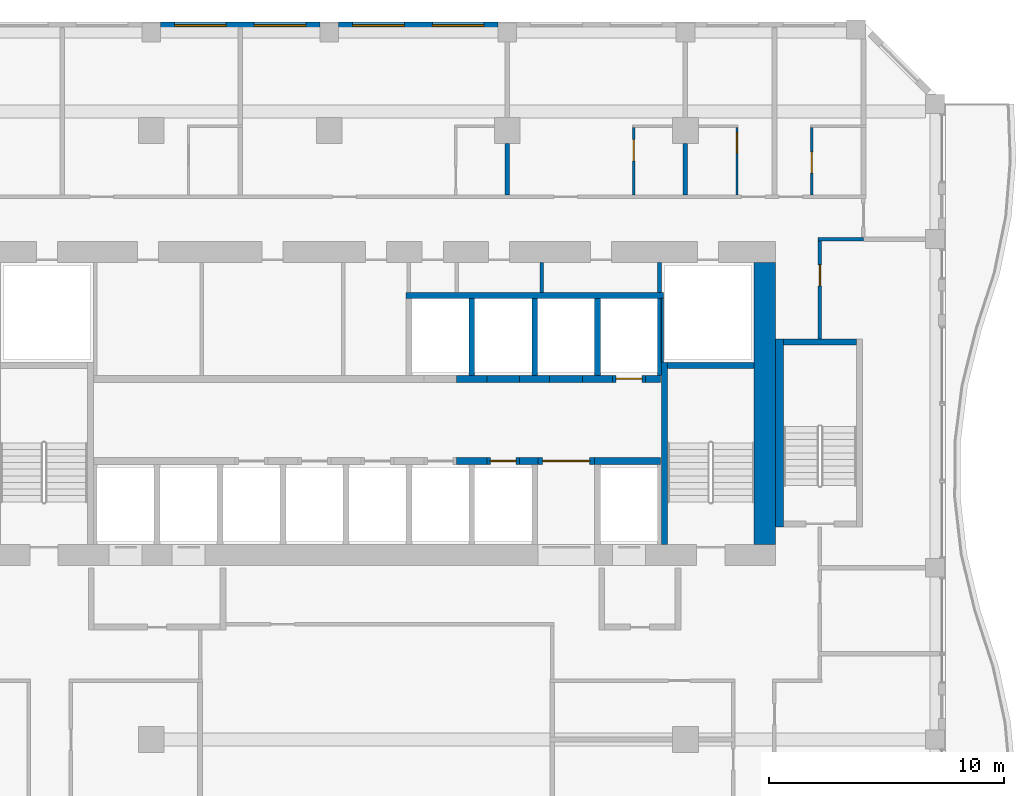
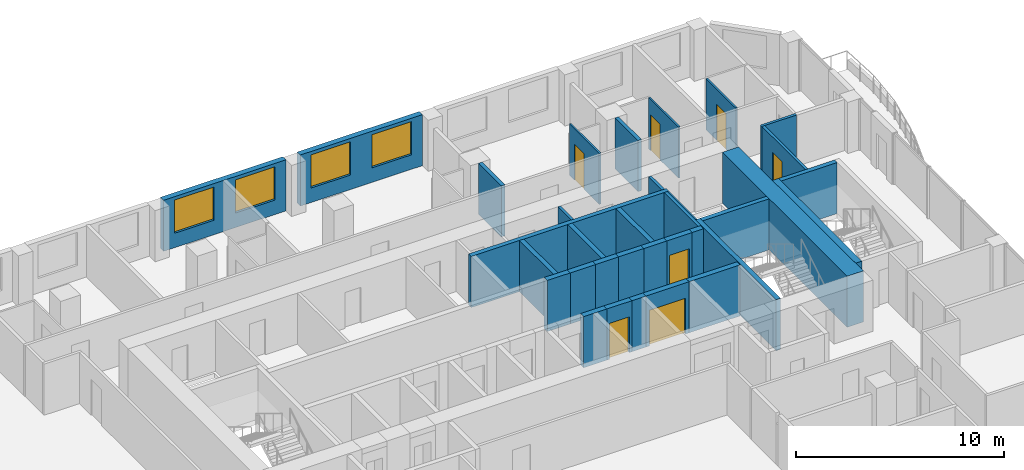
# One storey, part 16 of 23: 34 walls, 7 doors, 4 windows, 11 openings.
"""IFC4 building model written with IfcOpenShell, lengths in metres."""

from ifc_helpers import new_model, si_unit, direction, frame, frame_2d, origin, place, context, subcontext, project, spatial, rectangle, extrude, source, transform, mapped, material, layer, layer_set, type_object, element, fill, save


model = new_model("IFC4")

# Units and contexts
model_context = context("Model", 3, precision=1e-05, world=origin(), true_north=direction((0.0, 1.0)))
body_context = subcontext(model_context, "Body", "Model", "MODEL_VIEW")
ifc_project = project(units=[si_unit("LENGTHUNIT", "METRE"), si_unit("AREAUNIT", "SQUARE_METRE"), si_unit("VOLUMEUNIT", "CUBIC_METRE"), si_unit("PLANEANGLEUNIT", "RADIAN"), si_unit("MASSUNIT", "GRAM", prefix="KILO")], contexts=[model_context])

# Site, building, storey
site_placement = place(None, origin())
site = spatial("IfcSite", under=ifc_project, at=site_placement, CompositionType="ELEMENT")
building_placement = place(site_placement, origin())
building = spatial("IfcBuilding", under=site, at=building_placement, Name="Kilnfold Tower and Market Hall", CompositionType="ELEMENT")
storey_placement = place(building_placement, frame((0.0, 0.0, 160.89990234375)))
storey = spatial("IfcBuildingStorey", under=building, at=storey_placement, Name="L37", CompositionType="ELEMENT", Elevation=160.89990234375)

# Wall
ifc_material_1 = material(Name="Gypsum board on steel studs", Category="steel")
ifc_layer_1 = layer(ifc_material_1, 0.14990234375)
ifc_layer_set_1 = layer_set([ifc_layer_1], Name="Gypsum board on steel studs")
wall_type_1 = type_object("IfcWallType", Name="WALL CORRIDOR 150", PredefinedType="PARTITIONING", material=ifc_layer_set_1)
wall_1_placement = place(storey_placement, frame((19.824951171875, 22.0, 0.0), z_axis=(0.0, 0.0, 1.0), x_axis=(1.0, 0.0, 0.0)))
element("IfcWall", 1, at=wall_1_placement, inside=storey, type_object=wall_type_1, Name="Partition LY24.24", PredefinedType="PARTITIONING", context=body_context, shape_type="SweptSolid", body=[
    extrude(rectangle(XDim=1.925048828125, YDim=0.14990234375, at=frame_2d((0.96240234375, 0.0))), origin(), (0.0, 0.0, 1.0), 3.0),
])

# Wall, opening, door
wall_2_placement = place(storey_placement, frame((19.89990234375, 17.75, 0.0), z_axis=(0.0, 0.0, 1.0), x_axis=(0.0, 1.0, 0.0)))
wall_2 = element("IfcWall", 2, at=wall_2_placement, inside=storey, type_object=wall_type_1, Name="Partition LY24.25", PredefinedType="PARTITIONING", context=body_context, shape_type="SweptSolid", body=[
    extrude(rectangle(XDim=4.175048828125, YDim=0.14990234375, at=frame_2d((2.08740234375, 0.0))), origin(), (0.0, 0.0, 1.0), 3.0),
])
opening_1_placement = place(wall_2_placement, frame((2.25390625, 0.0, 0.0)))
opening_1 = element("IfcOpeningElement", 3, at=opening_1_placement, cuts=wall_2, Name="Opening D2", PredefinedType="OPENING", context=body_context, shape_type="SweptSolid", body=[
    extrude(rectangle(XDim=0.89990234375, YDim=2.10009765625, at=frame_2d((0.449951171875, 1.050048828125))), frame((0.0, 0.0849609375, 0.0), z_axis=(0.0, -1.0, 0.0), x_axis=(1.0, 0.0, 0.0)), (0.0, 0.0, 1.0), 0.169921875),
])
ifc_material_2 = material(Name="Timber veneer door leaf in steel frame", Category="steel")
door_type_1 = type_object("IfcDoorType", Name="DOOR ROOM 900 X2100", OperationType="NOTDEFINED", PredefinedType="DOOR", material=ifc_material_2)
door_1_placement = place(opening_1_placement, origin())
door_1 = element("IfcDoor", 4, at=door_1_placement, inside=storey, type_object=door_type_1, Name="Door D2", OperationType="SINGLE_SWING_LEFT", OverallHeight=2.10009765625, OverallWidth=0.89990234375, PredefinedType="DOOR", context=body_context, shape_type="SweptSolid", body=[
    extrude(rectangle(XDim=0.89990234375, YDim=2.10009765625, at=frame_2d((0.449951171875, 1.050048828125))), frame((0.0, 0.02490234375, 0.0), z_axis=(0.0, -1.0, 0.0), x_axis=(1.0, 0.0, 0.0)), (0.0, 0.0, 1.0), 0.050048828125),
])
fill(opening_1, door_1)

ifc_material_3 = material(Name="Gypsum board on steel studs", Category="steel")
ifc_layer_2 = layer(ifc_material_3, 0.10009765625)
ifc_layer_set_2 = layer_set([ifc_layer_2], Name="Gypsum board on steel studs")
wall_type_2 = type_object("IfcWallType", Name="WALL PARTITION 100", PredefinedType="PARTITIONING", material=ifc_layer_set_2)
wall_3_placement = place(storey_placement, frame((11.967041015625, 23.876953125, 0.0), z_axis=(0.0, 0.0, 1.0), x_axis=(0.0, 1.0, 0.0)))
wall_3 = element("IfcWall", 5, at=wall_3_placement, inside=storey, type_object=wall_type_2, Name="Partition LY24.90", PredefinedType="PARTITIONING", context=body_context, shape_type="SweptSolid", body=[
    extrude(rectangle(XDim=2.875, YDim=0.10009765625, at=frame_2d((1.4375, 0.0))), origin(), (0.0, 0.0, 1.0), 3.0),
])
opening_2_placement = place(wall_3_placement, frame((1.4599609375, 0.0, 0.0)))
opening_2 = element("IfcOpeningElement", 6, at=opening_2_placement, cuts=wall_3, Name="Opening D3", PredefinedType="OPENING", context=body_context, shape_type="SweptSolid", body=[
    extrude(rectangle(XDim=0.89990234375, YDim=2.10009765625, at=frame_2d((0.449951171875, 1.050048828125))), frame((0.0, 0.06005859375, 0.0), z_axis=(0.0, -1.0, 0.0), x_axis=(1.0, 0.0, 0.0)), (0.0, 0.0, 1.0), 0.1201171875),
])
ifc_material_4 = material(Name="Timber veneer door leaf in steel frame", Category="steel")
door_type_2 = type_object("IfcDoorType", Name="DOOR WC 900 X2100", OperationType="NOTDEFINED", PredefinedType="DOOR", material=ifc_material_4)
door_2_placement = place(opening_2_placement, origin())
door_2 = element("IfcDoor", 7, at=door_2_placement, inside=storey, type_object=door_type_2, Name="Door D3", OperationType="SINGLE_SWING_LEFT", OverallHeight=2.10009765625, OverallWidth=0.89990234375, PredefinedType="DOOR", context=body_context, shape_type="SweptSolid", body=[
    extrude(rectangle(XDim=0.89990234375, YDim=2.10009765625, at=frame_2d((0.449951171875, 1.050048828125))), frame((0.0, 0.02490234375, 0.0), z_axis=(0.0, -1.0, 0.0), x_axis=(1.0, 0.0, 0.0)), (0.0, 0.0, 1.0), 0.050048828125),
])
fill(opening_2, door_2)

wall_4_placement = place(storey_placement, frame((16.366943359375, 26.751953125, 0.0), z_axis=(0.0, 0.0, 1.0), x_axis=(0.0, -1.0, 0.0)))
wall_4 = element("IfcWall", 8, at=wall_4_placement, inside=storey, type_object=wall_type_2, Name="Partition LY24.94", PredefinedType="PARTITIONING", context=body_context, shape_type="SweptSolid", body=[
    extrude(rectangle(XDim=2.875, YDim=0.10009765625, at=frame_2d((1.4375, 0.0))), origin(), (0.0, 0.0, 1.0), 3.0),
])
opening_3_placement = place(wall_4_placement, frame((0.199951171875, 0.0, 0.0)))
opening_3 = element("IfcOpeningElement", 9, at=opening_3_placement, cuts=wall_4, Name="Opening D3", PredefinedType="OPENING", context=body_context, shape_type="SweptSolid", body=[
    extrude(rectangle(XDim=0.89990234375, YDim=2.10009765625, at=frame_2d((0.449951171875, 1.050048828125))), frame((0.0, 0.06005859375, 0.0), z_axis=(0.0, -1.0, 0.0), x_axis=(1.0, 0.0, 0.0)), (0.0, 0.0, 1.0), 0.1201171875),
])
door_3_placement = place(opening_3_placement, origin())
door_3 = element("IfcDoor", 10, at=door_3_placement, inside=storey, type_object=door_type_2, Name="Door D3", OperationType="SINGLE_SWING_LEFT", OverallHeight=2.10009765625, OverallWidth=0.89990234375, PredefinedType="DOOR", context=body_context, shape_type="SweptSolid", body=[
    extrude(rectangle(XDim=0.89990234375, YDim=2.10009765625, at=frame_2d((0.449951171875, 1.050048828125))), frame((0.0, 0.02490234375, 0.0), z_axis=(0.0, -1.0, 0.0), x_axis=(1.0, 0.0, 0.0)), (0.0, 0.0, 1.0), 0.050048828125),
])
fill(opening_3, door_3)

wall_5_placement = place(storey_placement, frame((19.550048828125, 23.876953125, 0.0), z_axis=(0.0, 0.0, 1.0), x_axis=(0.0, 1.0, 0.0)))
wall_5 = element("IfcWall", 11, at=wall_5_placement, inside=storey, type_object=wall_type_2, Name="Partition LY24.97", PredefinedType="PARTITIONING", context=body_context, shape_type="SweptSolid", body=[
    extrude(rectangle(XDim=2.875, YDim=0.10009765625, at=frame_2d((1.4375, 0.0))), origin(), (0.0, 0.0, 1.0), 3.0),
])
opening_4_placement = place(wall_5_placement, frame((0.93505859375, 0.0, 0.0)))
opening_4 = element("IfcOpeningElement", 12, at=opening_4_placement, cuts=wall_5, Name="Opening D3", PredefinedType="OPENING", context=body_context, shape_type="SweptSolid", body=[
    extrude(rectangle(XDim=0.89990234375, YDim=2.10009765625, at=frame_2d((0.449951171875, 1.050048828125))), frame((0.0, 0.06005859375, 0.0), z_axis=(0.0, -1.0, 0.0), x_axis=(1.0, 0.0, 0.0)), (0.0, 0.0, 1.0), 0.1201171875),
])
door_4_placement = place(opening_4_placement, origin())
door_4 = element("IfcDoor", 13, at=door_4_placement, inside=storey, type_object=door_type_2, Name="Door D3", OperationType="SINGLE_SWING_RIGHT", OverallHeight=2.10009765625, OverallWidth=0.89990234375, PredefinedType="DOOR", context=body_context, shape_type="SweptSolid", body=[
    extrude(rectangle(XDim=0.89990234375, YDim=2.10009765625, at=frame_2d((0.449951171875, 1.050048828125))), frame((0.0, 0.02490234375, 0.0), z_axis=(0.0, -1.0, 0.0), x_axis=(1.0, 0.0, 0.0)), (0.0, 0.0, 1.0), 0.050048828125),
])
fill(opening_4, door_4)

# Walls
ifc_material_5 = material(Name="Gypsum board on steel studs", Category="steel")
ifc_layer_3 = layer(ifc_material_5, 0.199951171875)
ifc_layer_set_3 = layer_set([ifc_layer_3], Name="Gypsum board on steel studs")
wall_type_3 = type_object("IfcWallType", Name="WALL PARTY 200", PredefinedType="PARTITIONING", material=ifc_layer_set_3)
for number, where, z_axis, x_axis, name in (
    (14, (6.5830078125, 23.876953125, 0.0), (0.0, 0.0, 1.0), (0.0, 1.0, 0.0), "Partition LY24.88"),
    (15, (14.1669921875, 23.876953125, 0.0), (0.0, 0.0, 1.0), (0.0, 1.0, 0.0), "Partition LY24.92"),
):
    element("IfcWall", number, at=place(storey_placement, frame(where, z_axis=z_axis, x_axis=x_axis)), inside=storey, type_object=wall_type_3, Name=name, PredefinedType="PARTITIONING", context=body_context, shape_type="SweptSolid", body=[
        extrude(rectangle(XDim=2.197998046875, YDim=0.199951171875, at=frame_2d((1.09912109375, 0.0))), origin(), (0.0, 0.0, 1.0), 3.0),
    ])
ifc_material_6 = material(Name="Concrete C70", Category="concrete")
ifc_layer_4 = layer(ifc_material_6, 0.89990234375)
ifc_layer_set_4 = layer_set([ifc_layer_4], Name="Concrete C70")
wall_type_4 = type_object("IfcWallType", Name="CORE WALL 900 C70", PredefinedType="SHEAR", material=ifc_layer_set_4)
shared_shape_1 = source(origin(), body_context, "Body", "SweptSolid", [
    extrude(rectangle(XDim=12.0, YDim=0.89990234375, at=frame_2d((6.0, 0.0))), origin(), (0.0, 0.0, 1.0), 3.0),
])
wall_6_placement = place(storey_placement, frame((17.550048828125, 9.0, 0.0), z_axis=(0.0, 0.0, 1.0), x_axis=(0.0, 1.0, 0.0)))
element("IfcWall", 16, at=wall_6_placement, inside=storey, type_object=wall_type_4, Name="Core outer wall east", PredefinedType="SHEAR", context=body_context, shape_type="MappedRepresentation", body=[
    mapped(shared_shape_1, transform((0.0, 0.0, 0.0))),
])
ifc_material_7 = material(Name="Concrete C70", Category="concrete")
ifc_layer_5 = layer(ifc_material_7, 0.25)
ifc_layer_set_5 = layer_set([ifc_layer_5], Name="Concrete C70")
wall_type_5 = type_object("IfcWallType", Name="CORE WALL 250 C70", PredefinedType="SHEAR", material=ifc_layer_set_5)
shared_shape_2 = source(origin(), body_context, "Body", "SweptSolid", [
    extrude(rectangle(XDim=7.75, YDim=0.25, at=frame_2d((3.875, 0.0))), origin(), (0.0, 0.0, 1.0), 3.0),
])
wall_7_placement = place(storey_placement, frame((13.27490234375, 9.0, 0.0), z_axis=(0.0, 0.0, 1.0), x_axis=(0.0, 1.0, 0.0)))
element("IfcWall", 17, at=wall_7_placement, inside=storey, type_object=wall_type_5, Name="Stair enclosure ST2", PredefinedType="SHEAR", context=body_context, shape_type="MappedRepresentation", body=[
    mapped(shared_shape_2, transform((0.0, 0.0, 0.0))),
])
shared_shape_3 = source(origin(), body_context, "Body", "SweptSolid", [
    extrude(rectangle(XDim=3.7001953125, YDim=0.25, at=frame_2d((1.85009765625, 0.0))), origin(), (0.0, 0.0, 1.0), 3.0),
])
wall_8_placement = place(storey_placement, frame((13.39990234375, 16.625, 0.0), z_axis=(0.0, 0.0, 1.0), x_axis=(1.0, 0.0, 0.0)))
element("IfcWall", 18, at=wall_8_placement, inside=storey, type_object=wall_type_5, Name="Stair enclosure ST2", PredefinedType="SHEAR", context=body_context, shape_type="MappedRepresentation", body=[
    mapped(shared_shape_3, transform((0.0, 0.0, 0.0))),
])
ifc_material_8 = material(Name="Concrete C70", Category="concrete")
ifc_layer_6 = layer(ifc_material_8, 0.35009765625)
ifc_layer_set_6 = layer_set([ifc_layer_6], Name="Concrete C70")
wall_type_6 = type_object("IfcWallType", Name="CORE WALL 350 C70", PredefinedType="SHEAR", material=ifc_layer_set_6)
shared_shape_4 = source(origin(), body_context, "Body", "SweptSolid", [
    extrude(rectangle(XDim=8.0, YDim=0.35009765625, at=frame_2d((4.0, 0.0))), origin(), (0.0, 0.0, 1.0), 3.0),
])
wall_9_placement = place(storey_placement, frame((18.175048828125, 9.75, 0.0), z_axis=(0.0, 0.0, 1.0), x_axis=(0.0, 1.0, 0.0)))
element("IfcWall", 19, at=wall_9_placement, inside=storey, type_object=wall_type_6, Name="Stair enclosure ST5", PredefinedType="SHEAR", context=body_context, shape_type="MappedRepresentation", body=[
    mapped(shared_shape_4, transform((0.0, 0.0, 0.0))),
])
shared_shape_5 = source(origin(), body_context, "Body", "SweptSolid", [
    extrude(rectangle(XDim=3.099853515625, YDim=0.25, at=frame_2d((1.5498046875, 0.0))), origin(), (0.0, 0.0, 1.0), 3.0),
])
wall_10_placement = place(storey_placement, frame((18.35009765625, 17.625, 0.0), z_axis=(0.0, 0.0, 1.0), x_axis=(1.0, 0.0, 0.0)))
element("IfcWall", 20, at=wall_10_placement, inside=storey, type_object=wall_type_5, Name="Stair enclosure ST5", PredefinedType="SHEAR", context=body_context, shape_type="MappedRepresentation", body=[
    mapped(shared_shape_5, transform((0.0, 0.0, 0.0))),
])
ifc_material_9 = material(Name="Concrete C70", Category="concrete")
ifc_layer_7 = layer(ifc_material_9, 0.300048828125)
ifc_layer_set_7 = layer_set([ifc_layer_7], Name="Concrete C70")
wall_type_7 = type_object("IfcWallType", Name="CORE WALL 300 C70", PredefinedType="SHEAR", material=ifc_layer_set_7)
shared_shape_6 = source(origin(), body_context, "Body", "SweptSolid", [
    extrude(rectangle(XDim=1.280029296875, YDim=0.300048828125, at=frame_2d((0.64013671875, 0.0))), origin(), (0.0, 0.0, 1.0), 3.0),
])
for number, where, z_axis, x_axis, name in (
    (21, (4.429931640625, 12.550048828125, 0.0), (0.0, 0.0, 1.0), (1.0, 0.0, 0.0), "Core spine wall"),
    (22, (4.429931640625, 16.050048828125, 0.0), (0.0, 0.0, 1.0), (1.0, 0.0, 0.0), "Core spine wall"),
    (23, (9.7900390625, 16.050048828125, 0.0), (0.0, 0.0, 1.0), (1.0, 0.0, 0.0), "Core spine wall"),
):
    element("IfcWall", number, at=place(storey_placement, frame(where, z_axis=z_axis, x_axis=x_axis)), inside=storey, type_object=wall_type_7, Name=name, PredefinedType="SHEAR", context=body_context, shape_type="MappedRepresentation", body=[
        mapped(shared_shape_6, transform((0.0, 0.0, 0.0))),
    ])
shared_shape_7 = source(origin(), body_context, "Body", "SweptSolid", [
    extrude(rectangle(XDim=0.77978515625, YDim=0.300048828125, at=frame_2d((0.389892578125, 0.0))), origin(), (0.0, 0.0, 1.0), 3.0),
])
wall_11_placement = place(storey_placement, frame((7.110107421875, 12.550048828125, 0.0), z_axis=(0.0, 0.0, 1.0), x_axis=(1.0, 0.0, 0.0)))
element("IfcWall", 24, at=wall_11_placement, inside=storey, type_object=wall_type_7, Name="Core spine wall", PredefinedType="SHEAR", context=body_context, shape_type="MappedRepresentation", body=[
    mapped(shared_shape_7, transform((0.0, 0.0, 0.0))),
])
shared_shape_8 = source(origin(), body_context, "Body", "SweptSolid", [
    extrude(rectangle(XDim=2.820068359375, YDim=0.300048828125, at=frame_2d((1.41015625, 0.0))), origin(), (0.0, 0.0, 1.0), 3.0),
])
wall_12_placement = place(storey_placement, frame((10.2900390625, 12.550048828125, 0.0), z_axis=(0.0, 0.0, 1.0), x_axis=(1.0, 0.0, 0.0)))
element("IfcWall", 25, at=wall_12_placement, inside=storey, type_object=wall_type_7, Name="Core spine wall", PredefinedType="SHEAR", context=body_context, shape_type="MappedRepresentation", body=[
    mapped(shared_shape_8, transform((0.0, 0.0, 0.0))),
])
shared_shape_9 = source(origin(), body_context, "Body", "SweptSolid", [
    extrude(rectangle(XDim=1.27978515625, YDim=0.300048828125, at=frame_2d((0.639892578125, 0.0))), origin(), (0.0, 0.0, 1.0), 3.0),
])
wall_13_placement = place(storey_placement, frame((7.110107421875, 16.050048828125, 0.0), z_axis=(0.0, 0.0, 1.0), x_axis=(1.0, 0.0, 0.0)))
element("IfcWall", 26, at=wall_13_placement, inside=storey, type_object=wall_type_7, Name="Core spine wall", PredefinedType="SHEAR", context=body_context, shape_type="MappedRepresentation", body=[
    mapped(shared_shape_9, transform((0.0, 0.0, 0.0))),
])
shared_shape_10 = source(origin(), body_context, "Body", "SweptSolid", [
    extrude(rectangle(XDim=0.64013671875, YDim=0.300048828125, at=frame_2d((0.320068359375, 0.0))), origin(), (0.0, 0.0, 1.0), 3.0),
])
wall_14_placement = place(storey_placement, frame((12.469970703125, 16.050048828125, 0.0), z_axis=(0.0, 0.0, 1.0), x_axis=(1.0, 0.0, 0.0)))
element("IfcWall", 27, at=wall_14_placement, inside=storey, type_object=wall_type_7, Name="Core spine wall", PredefinedType="SHEAR", context=body_context, shape_type="MappedRepresentation", body=[
    mapped(shared_shape_10, transform((0.0, 0.0, 0.0))),
])

# Wall, openings, windows
ifc_material_10 = material(Name="Precast concrete C50/60", Category="concrete")
ifc_layer_8 = layer(ifc_material_10, 0.300048828125)
ifc_layer_set_8 = layer_set([ifc_layer_8], Name="Precast concrete C50/60")
wall_type_8 = type_object("IfcWallType", Name="PRECAST WALL 300", PredefinedType="SOLIDWALL", material=ifc_layer_set_8)
shared_shape_11 = source(origin(), body_context, "Body", "SweptSolid", [
    extrude(rectangle(XDim=6.783447265625, YDim=0.300048828125, at=frame_2d((3.3916015625, 0.0))), origin(), (0.0, 0.0, 1.0), 3.0),
])
wall_15_placement = place(storey_placement, frame((6.183349609375, 31.10009765625, 0.0), z_axis=(0.0, 0.0, 1.0), x_axis=(-1.0, 0.0, 0.0)))
wall_15 = element("IfcWall", 28, at=wall_15_placement, inside=storey, type_object=wall_type_8, Name="External wall L37 N", PredefinedType="SOLIDWALL", context=body_context, shape_type="MappedRepresentation", body=[
    mapped(shared_shape_11, transform((0.0, 0.0, 0.0))),
])
opening_5_placement = place(wall_15_placement, frame((0.595703125, 0.0, 0.85009765625)))
opening_5 = element("IfcOpeningElement", 29, at=opening_5_placement, cuts=wall_15, Name="Opening W2", PredefinedType="OPENING", context=body_context, shape_type="SweptSolid", body=[
    extrude(rectangle(XDim=2.199951171875, YDim=1.949951171875, at=frame_2d((1.10009765625, 0.97509765625))), frame((0.0, 0.16015625, 0.0), z_axis=(0.0, -1.0, 0.0), x_axis=(1.0, 0.0, 0.0)), (0.0, 0.0, 1.0), 0.320068359375),
])
opening_6_placement = place(wall_15_placement, frame((3.987548828125, 0.0, 0.85009765625)))
opening_6 = element("IfcOpeningElement", 30, at=opening_6_placement, cuts=wall_15, Name="Opening W2", PredefinedType="OPENING", context=body_context, shape_type="SweptSolid", body=[
    extrude(rectangle(XDim=2.199951171875, YDim=1.949951171875, at=frame_2d((1.10009765625, 0.97509765625))), frame((0.0, 0.16015625, 0.0), z_axis=(0.0, -1.0, 0.0), x_axis=(1.0, 0.0, 0.0)), (0.0, 0.0, 1.0), 0.320068359375),
])
ifc_material_11 = material(Name="Aluminium frame and double glazing", Category="aluminium")
window_type = type_object("IfcWindowType", Name="WINDOW W2 2200X1950", PartitioningType="SINGLE_PANEL", PredefinedType="WINDOW", material=ifc_material_11)
window_1_placement = place(opening_5_placement, origin())
window_1 = element("IfcWindow", 31, at=window_1_placement, inside=storey, type_object=window_type, Name="Window W2 L37 N-1", OverallHeight=1.949951171875, OverallWidth=2.199951171875, PartitioningType="SINGLE_PANEL", PredefinedType="WINDOW", context=body_context, shape_type="SweptSolid", body=[
    extrude(rectangle(XDim=2.199951171875, YDim=1.949951171875, at=frame_2d((1.10009765625, 0.97509765625))), frame((0.0, 0.030029296875, 0.0), z_axis=(0.0, -1.0, 0.0), x_axis=(1.0, 0.0, 0.0)), (0.0, 0.0, 1.0), 0.06005859375),
])
fill(opening_5, window_1)
window_2_placement = place(opening_6_placement, origin())
window_2 = element("IfcWindow", 32, at=window_2_placement, inside=storey, type_object=window_type, Name="Window W2 L37 N-2", OverallHeight=1.949951171875, OverallWidth=2.199951171875, PartitioningType="SINGLE_PANEL", PredefinedType="WINDOW", context=body_context, shape_type="SweptSolid", body=[
    extrude(rectangle(XDim=2.199951171875, YDim=1.949951171875, at=frame_2d((1.10009765625, 0.97509765625))), frame((0.0, 0.030029296875, 0.0), z_axis=(0.0, -1.0, 0.0), x_axis=(1.0, 0.0, 0.0)), (0.0, 0.0, 1.0), 0.06005859375),
])
fill(opening_6, window_2)

wall_16_placement = place(storey_placement, frame((-1.39990234375, 31.10009765625, 0.0), z_axis=(0.0, 0.0, 1.0), x_axis=(-1.0, 0.0, 0.0)))
wall_16 = element("IfcWall", 33, at=wall_16_placement, inside=storey, type_object=wall_type_8, Name="External wall L37 N", PredefinedType="SOLIDWALL", context=body_context, shape_type="MappedRepresentation", body=[
    mapped(shared_shape_11, transform((0.0, 0.0, 0.0))),
])
opening_7_placement = place(wall_16_placement, frame((0.595703125, 0.0, 0.85009765625)))
opening_7 = element("IfcOpeningElement", 34, at=opening_7_placement, cuts=wall_16, Name="Opening W2", PredefinedType="OPENING", context=body_context, shape_type="SweptSolid", body=[
    extrude(rectangle(XDim=2.199951171875, YDim=1.949951171875, at=frame_2d((1.10009765625, 0.97509765625))), frame((0.0, 0.16015625, 0.0), z_axis=(0.0, -1.0, 0.0), x_axis=(1.0, 0.0, 0.0)), (0.0, 0.0, 1.0), 0.320068359375),
])
opening_8_placement = place(wall_16_placement, frame((3.987548828125, 0.0, 0.85009765625)))
opening_8 = element("IfcOpeningElement", 35, at=opening_8_placement, cuts=wall_16, Name="Opening W2", PredefinedType="OPENING", context=body_context, shape_type="SweptSolid", body=[
    extrude(rectangle(XDim=2.199951171875, YDim=1.949951171875, at=frame_2d((1.10009765625, 0.97509765625))), frame((0.0, 0.16015625, 0.0), z_axis=(0.0, -1.0, 0.0), x_axis=(1.0, 0.0, 0.0)), (0.0, 0.0, 1.0), 0.320068359375),
])
window_3_placement = place(opening_7_placement, origin())
window_3 = element("IfcWindow", 36, at=window_3_placement, inside=storey, type_object=window_type, Name="Window W2 L37 N-1", OverallHeight=1.949951171875, OverallWidth=2.199951171875, PartitioningType="SINGLE_PANEL", PredefinedType="WINDOW", context=body_context, shape_type="SweptSolid", body=[
    extrude(rectangle(XDim=2.199951171875, YDim=1.949951171875, at=frame_2d((1.10009765625, 0.97509765625))), frame((0.0, 0.030029296875, 0.0), z_axis=(0.0, -1.0, 0.0), x_axis=(1.0, 0.0, 0.0)), (0.0, 0.0, 1.0), 0.06005859375),
])
fill(opening_7, window_3)
window_4_placement = place(opening_8_placement, origin())
window_4 = element("IfcWindow", 37, at=window_4_placement, inside=storey, type_object=window_type, Name="Window W2 L37 N-2", OverallHeight=1.949951171875, OverallWidth=2.199951171875, PartitioningType="SINGLE_PANEL", PredefinedType="WINDOW", context=body_context, shape_type="SweptSolid", body=[
    extrude(rectangle(XDim=2.199951171875, YDim=1.949951171875, at=frame_2d((1.10009765625, 0.97509765625))), frame((0.0, 0.030029296875, 0.0), z_axis=(0.0, -1.0, 0.0), x_axis=(1.0, 0.0, 0.0)), (0.0, 0.0, 1.0), 0.06005859375),
])
fill(opening_8, window_4)

# Wall, opening, door
ifc_material_12 = material(Name="Gypsum shaft wall system")
ifc_layer_9 = layer(ifc_material_12, 0.300048828125)
ifc_layer_set_9 = layer_set([ifc_layer_9], Name="Gypsum shaft wall system")
wall_type_9 = type_object("IfcWallType", Name="SHAFT WALL 300", PredefinedType="PARTITIONING", material=ifc_layer_set_9)
shared_shape_12 = source(origin(), body_context, "Body", "SweptSolid", [
    extrude(rectangle(XDim=1.39990234375, YDim=0.300048828125, at=frame_2d((0.699951171875, 0.0))), origin(), (0.0, 0.0, 1.0), 3.0),
])
wall_17_placement = place(storey_placement, frame((11.070068359375, 16.050048828125, 0.0), z_axis=(0.0, 0.0, 1.0), x_axis=(1.0, 0.0, 0.0)))
wall_17 = element("IfcWall", 38, at=wall_17_placement, inside=storey, type_object=wall_type_9, Name="Lift shaft front wall", PredefinedType="PARTITIONING", context=body_context, shape_type="MappedRepresentation", body=[
    mapped(shared_shape_12, transform((0.0, 0.0, 0.0))),
])
opening_9_placement = place(wall_17_placement, frame((0.14990234375, 0.0, 0.0)))
opening_9 = element("IfcOpeningElement", 39, at=opening_9_placement, cuts=wall_17, Name="Opening LD2", PredefinedType="OPENING", context=body_context, shape_type="SweptSolid", body=[
    extrude(rectangle(XDim=1.10009765625, YDim=2.10009765625, at=frame_2d((0.550048828125, 1.050048828125))), frame((0.0, 0.16015625, 0.0), z_axis=(0.0, -1.0, 0.0), x_axis=(1.0, 0.0, 0.0)), (0.0, 0.0, 1.0), 0.320068359375),
])
ifc_material_13 = material(Name="Steel door set with fire-resisting leaf", Category="steel")
door_type_3 = type_object("IfcDoorType", Name="LANDING DOOR 1100X2100", OperationType="NOTDEFINED", PredefinedType="DOOR", material=ifc_material_13)
door_5_placement = place(opening_9_placement, origin())
door_5 = element("IfcDoor", 40, at=door_5_placement, inside=storey, type_object=door_type_3, Name="Landing door MR6", OperationType="DOUBLE_DOOR_SLIDING", OverallHeight=2.10009765625, OverallWidth=1.10009765625, PredefinedType="DOOR", context=body_context, shape_type="SweptSolid", body=[
    extrude(rectangle(XDim=1.10009765625, YDim=2.10009765625, at=frame_2d((0.550048828125, 1.050048828125))), frame((0.0, 0.02490234375, 0.0), z_axis=(0.0, -1.0, 0.0), x_axis=(1.0, 0.0, 0.0)), (0.0, 0.0, 1.0), 0.050048828125),
])
fill(opening_9, door_5)

shared_shape_13 = source(origin(), body_context, "Body", "SweptSolid", [
    extrude(rectangle(XDim=1.400146484375, YDim=0.300048828125, at=frame_2d((0.7001953125, 0.0))), origin(), (0.0, 0.0, 1.0), 3.0),
])
wall_18_placement = place(storey_placement, frame((5.7099609375, 12.550048828125, 0.0), z_axis=(0.0, 0.0, 1.0), x_axis=(1.0, 0.0, 0.0)))
wall_18 = element("IfcWall", 41, at=wall_18_placement, inside=storey, type_object=wall_type_9, Name="Lift shaft front wall", PredefinedType="PARTITIONING", context=body_context, shape_type="MappedRepresentation", body=[
    mapped(shared_shape_13, transform((0.0, 0.0, 0.0))),
])
opening_10_placement = place(wall_18_placement, frame((0.14990234375, 0.0, 0.0)))
opening_10 = element("IfcOpeningElement", 42, at=opening_10_placement, cuts=wall_18, Name="Opening LD2", PredefinedType="OPENING", context=body_context, shape_type="SweptSolid", body=[
    extrude(rectangle(XDim=1.10009765625, YDim=2.10009765625, at=frame_2d((0.550048828125, 1.050048828125))), frame((0.0, 0.16015625, 0.0), z_axis=(0.0, -1.0, 0.0), x_axis=(1.0, 0.0, 0.0)), (0.0, 0.0, 1.0), 0.320068359375),
])
door_6_placement = place(opening_10_placement, origin())
door_6 = element("IfcDoor", 43, at=door_6_placement, inside=storey, type_object=door_type_3, Name="Landing door MR5", OperationType="DOUBLE_DOOR_SLIDING", OverallHeight=2.10009765625, OverallWidth=1.10009765625, PredefinedType="DOOR", context=body_context, shape_type="SweptSolid", body=[
    extrude(rectangle(XDim=1.10009765625, YDim=2.10009765625, at=frame_2d((0.550048828125, 1.050048828125))), frame((0.0, 0.02490234375, 0.0), z_axis=(0.0, -1.0, 0.0), x_axis=(1.0, 0.0, 0.0)), (0.0, 0.0, 1.0), 0.050048828125),
])
fill(opening_10, door_6)

# Walls
for number, where, z_axis, x_axis, name in (
    (44, (5.7099609375, 16.050048828125, 0.0), (0.0, 0.0, 1.0), (1.0, 0.0, 0.0), "Lift shaft front wall"),
    (45, (8.389892578125, 16.050048828125, 0.0), (0.0, 0.0, 1.0), (1.0, 0.0, 0.0), "Lift shaft front wall"),
):
    element("IfcWall", number, at=place(storey_placement, frame(where, z_axis=z_axis, x_axis=x_axis)), inside=storey, type_object=wall_type_9, Name=name, PredefinedType="PARTITIONING", context=body_context, shape_type="MappedRepresentation", body=[
        mapped(shared_shape_13, transform((0.0, 0.0, 0.0))),
    ])

# Wall, opening, door
shared_shape_14 = source(origin(), body_context, "Body", "SweptSolid", [
    extrude(rectangle(XDim=2.400146484375, YDim=0.300048828125, at=frame_2d((1.2001953125, 0.0))), origin(), (0.0, 0.0, 1.0), 3.0),
])
wall_19_placement = place(storey_placement, frame((7.889892578125, 12.550048828125, 0.0), z_axis=(0.0, 0.0, 1.0), x_axis=(1.0, 0.0, 0.0)))
wall_19 = element("IfcWall", 46, at=wall_19_placement, inside=storey, type_object=wall_type_9, Name="Lift shaft front wall", PredefinedType="PARTITIONING", context=body_context, shape_type="MappedRepresentation", body=[
    mapped(shared_shape_14, transform((0.0, 0.0, 0.0))),
])
opening_11_placement = place(wall_19_placement, frame((0.199951171875, 0.0, 0.0)))
opening_11 = element("IfcOpeningElement", 47, at=opening_11_placement, cuts=wall_19, Name="Opening VD2", PredefinedType="OPENING", context=body_context, shape_type="SweptSolid", body=[
    extrude(rectangle(XDim=2.0, YDim=2.10009765625, at=frame_2d((1.0, 1.050048828125))), frame((0.0, 0.16015625, 0.0), z_axis=(0.0, -1.0, 0.0), x_axis=(1.0, 0.0, 0.0)), (0.0, 0.0, 1.0), 0.320068359375),
])
ifc_material_14 = material(Name="Steel door set with fire-resisting leaf", Category="steel")
door_type_4 = type_object("IfcDoorType", Name="LIFT LOBBY ENTRANCE DOOR 2000X2100", OperationType="NOTDEFINED", PredefinedType="DOOR", material=ifc_material_14)
door_7_placement = place(opening_11_placement, origin())
door_7 = element("IfcDoor", 48, at=door_7_placement, inside=storey, type_object=door_type_4, Name="Lift lobby entrance door", OperationType="DOUBLE_DOOR_SINGLE_SWING", OverallHeight=2.10009765625, OverallWidth=2.0, PredefinedType="DOOR", context=body_context, shape_type="SweptSolid", body=[
    extrude(rectangle(XDim=2.0, YDim=2.10009765625, at=frame_2d((1.0, 1.050048828125))), frame((0.0, 0.02490234375, 0.0), z_axis=(0.0, -1.0, 0.0), x_axis=(1.0, 0.0, 0.0)), (0.0, 0.0, 1.0), 0.050048828125),
])
fill(opening_11, door_7)

# Walls
ifc_material_15 = material(Name="Gypsum shaft wall system")
ifc_layer_10 = layer(ifc_material_15, 0.25)
ifc_layer_set_10 = layer_set([ifc_layer_10], Name="Gypsum shaft wall system")
wall_type_10 = type_object("IfcWallType", Name="SHAFT WALL 250", PredefinedType="PARTITIONING", material=ifc_layer_set_10)
shared_shape_15 = source(origin(), body_context, "Body", "SweptSolid", [
    extrude(rectangle(XDim=10.97021484375, YDim=0.25, at=frame_2d((5.485107421875, 0.0))), origin(), (0.0, 0.0, 1.0), 3.0),
])
wall_20_placement = place(storey_placement, frame((2.264892578125, 19.60009765625, 0.0), z_axis=(0.0, 0.0, 1.0), x_axis=(1.0, 0.0, 0.0)))
element("IfcWall", 49, at=wall_20_placement, inside=storey, type_object=wall_type_10, Name="Lift shaft wall", PredefinedType="PARTITIONING", context=body_context, shape_type="MappedRepresentation", body=[
    mapped(shared_shape_15, transform((0.0, 0.0, 0.0))),
])
ifc_material_16 = material(Name="Gypsum shaft wall system")
ifc_layer_11 = layer(ifc_material_16, 0.1650390625)
ifc_layer_set_11 = layer_set([ifc_layer_11], Name="Gypsum shaft wall system")
wall_type_11 = type_object("IfcWallType", Name="SHAFT WALL 165", PredefinedType="PARTITIONING", material=ifc_layer_set_11)
shared_shape_16 = source(origin(), body_context, "Body", "SweptSolid", [
    extrude(rectangle(XDim=3.275146484375, YDim=0.1650390625, at=frame_2d((1.6376953125, 0.0))), origin(), (0.0, 0.0, 1.0), 3.0),
])
wall_21_placement = place(storey_placement, frame((13.0673828125, 16.199951171875, 0.0), z_axis=(0.0, 0.0, 1.0), x_axis=(0.0, 1.0, 0.0)))
element("IfcWall", 50, at=wall_21_placement, inside=storey, type_object=wall_type_11, Name="Lift shaft wall", PredefinedType="PARTITIONING", context=body_context, shape_type="MappedRepresentation", body=[
    mapped(shared_shape_16, transform((0.0, 0.0, 0.0))),
])
shared_shape_17 = source(origin(), body_context, "Body", "SweptSolid", [
    extrude(rectangle(XDim=1.27490234375, YDim=0.1650390625, at=frame_2d((0.637451171875, 0.0))), origin(), (0.0, 0.0, 1.0), 3.0),
])
wall_22_placement = place(storey_placement, frame((13.0673828125, 19.72509765625, 0.0), z_axis=(0.0, 0.0, 1.0), x_axis=(0.0, 1.0, 0.0)))
element("IfcWall", 51, at=wall_22_placement, inside=storey, type_object=wall_type_11, Name="Lift shaft wall", PredefinedType="PARTITIONING", context=body_context, shape_type="MappedRepresentation", body=[
    mapped(shared_shape_17, transform((0.0, 0.0, 0.0))),
])
shared_shape_18 = source(origin(), body_context, "Body", "SweptSolid", [
    extrude(rectangle(XDim=3.275146484375, YDim=0.25, at=frame_2d((1.6376953125, 0.0))), origin(), (0.0, 0.0, 1.0), 3.0),
])
for number, where, z_axis, x_axis, name in (
    (52, (10.429931640625, 16.199951171875, 0.0), (0.0, 0.0, 1.0), (0.0, 1.0, 0.0), "Lift shaft wall"),
    (53, (5.070068359375, 16.199951171875, 0.0), (0.0, 0.0, 1.0), (0.0, 1.0, 0.0), "Lift shaft wall"),
    (54, (7.75, 16.199951171875, 0.0), (0.0, 0.0, 1.0), (0.0, 1.0, 0.0), "Lift shaft wall"),
):
    element("IfcWall", number, at=place(storey_placement, frame(where, z_axis=z_axis, x_axis=x_axis)), inside=storey, type_object=wall_type_10, Name=name, PredefinedType="PARTITIONING", context=body_context, shape_type="MappedRepresentation", body=[
        mapped(shared_shape_18, transform((0.0, 0.0, 0.0))),
    ])
ifc_material_17 = material(Name="Gypsum shaft wall system")
ifc_layer_12 = layer(ifc_material_17, 0.0849609375)
ifc_layer_set_12 = layer_set([ifc_layer_12], Name="Gypsum shaft wall system")
wall_type_12 = type_object("IfcWallType", Name="SHAFT WALL 85", PredefinedType="PARTITIONING", material=ifc_layer_set_12)
shared_shape_19 = source(origin(), body_context, "Body", "SweptSolid", [
    extrude(rectangle(XDim=2.72509765625, YDim=0.0849609375, at=frame_2d((1.362548828125, 0.0))), origin(), (0.0, 0.0, 1.0), 3.0),
])
wall_23_placement = place(storey_placement, frame((13.1923828125, 16.75, 0.0), z_axis=(0.0, 0.0, 1.0), x_axis=(0.0, 1.0, 0.0)))
element("IfcWall", 55, at=wall_23_placement, inside=storey, type_object=wall_type_12, Name="Lift shaft wall", PredefinedType="PARTITIONING", context=body_context, shape_type="MappedRepresentation", body=[
    mapped(shared_shape_19, transform((0.0, 0.0, 0.0))),
])
ifc_material_18 = material(Name="Gypsum shaft wall system")
ifc_layer_13 = layer(ifc_material_18, 0.14990234375)
ifc_layer_set_13 = layer_set([ifc_layer_13], Name="Gypsum shaft wall system")
wall_type_13 = type_object("IfcWallType", Name="ROOM WALL 150", PredefinedType="PARTITIONING", material=ifc_layer_set_13)
shared_shape_20 = source(origin(), body_context, "Body", "SweptSolid", [
    extrude(rectangle(XDim=1.27490234375, YDim=0.14990234375, at=frame_2d((0.637451171875, 0.0))), origin(), (0.0, 0.0, 1.0), 3.0),
])
wall_24_placement = place(storey_placement, frame((8.044921875, 19.72509765625, 0.0), z_axis=(0.0, 0.0, 1.0), x_axis=(0.0, 1.0, 0.0)))
element("IfcWall", 56, at=wall_24_placement, inside=storey, type_object=wall_type_13, Name="Core room wall", PredefinedType="PARTITIONING", context=body_context, shape_type="MappedRepresentation", body=[
    mapped(shared_shape_20, transform((0.0, 0.0, 0.0))),
])

save(model, "model.ifc")
